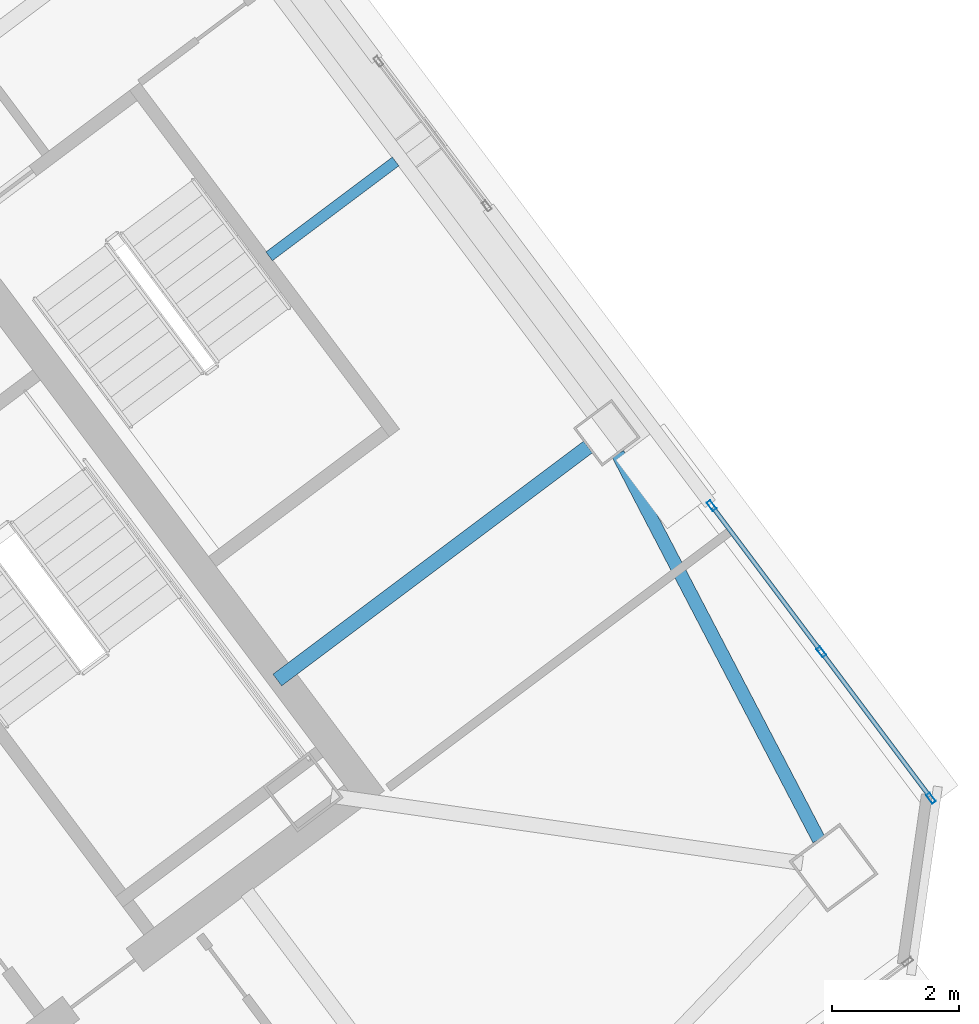
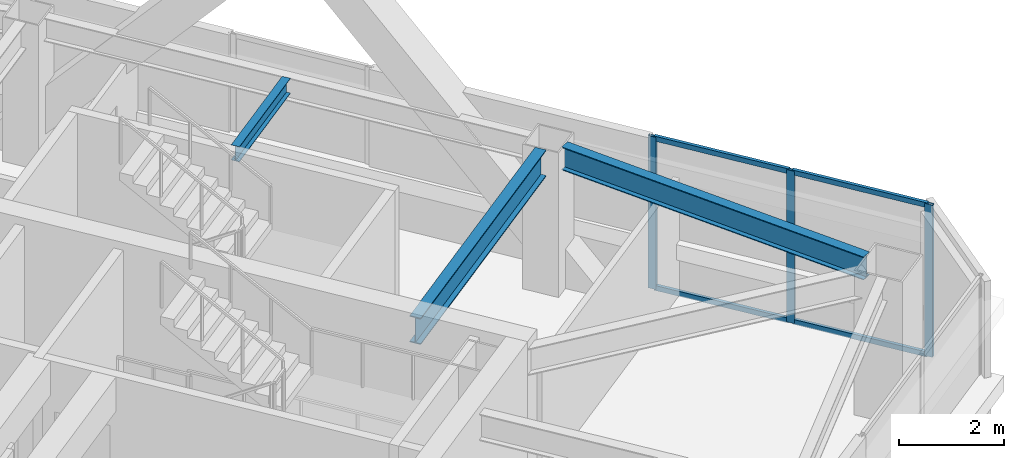
# One storey, part 24 of 39: 7 members, 3 beams, 1 element without a shape of its own.
"""IFC4 building model written with IfcOpenShell, lengths in metres."""

from ifc_helpers import new_model, si_unit, direction, frame, origin, origin_2d, place, context, subcontext, project, spatial, hollow_rectangle, i_section, extrude, material, material_profile, profile_set, type_object, element, aggregate, save


model = new_model("IFC4")

# Units and contexts
model_context = context("Model", 3, precision=1e-05, world=origin(), true_north=direction((0.0, 1.0)))
body_context = subcontext(model_context, "Body", "Model", "MODEL_VIEW")
ifc_project = project(units=[si_unit("LENGTHUNIT", "METRE"), si_unit("AREAUNIT", "SQUARE_METRE"), si_unit("VOLUMEUNIT", "CUBIC_METRE"), si_unit("PLANEANGLEUNIT", "RADIAN"), si_unit("MASSUNIT", "GRAM", prefix="KILO")], contexts=[model_context])

# Site, building, storey
site_placement = place(None, origin())
site = spatial("IfcSite", under=ifc_project, at=site_placement, CompositionType="ELEMENT")
building_placement = place(site_placement, origin())
building = spatial("IfcBuilding", under=site, at=building_placement, Name="Tashvorn Skyway Center", CompositionType="ELEMENT")
storey_placement = place(building_placement, frame((0.0, 0.0, 239.699951171875)))
storey = spatial("IfcBuildingStorey", under=building, at=storey_placement, Name="L65", CompositionType="ELEMENT", Elevation=239.699951171875)

# Beams
ifc_material_1 = material(Name="Steel ASTM A992 Grade 50", Category="steel")
ifc_material_profile_1 = material_profile(ifc_material_1, i_section(OverallWidth=0.22998046875, OverallDepth=0.616943359375, WebThickness=0.01318359375, FlangeThickness=0.022216796875, at=origin_2d()), Name="W24X94")
ifc_profile_set_1 = profile_set([ifc_material_profile_1], Name="Steel ASTM A992 Grade 50")
beam_type_1 = type_object("IfcBeamType", Name="BM-BEAM-W24X94", PredefinedType="BEAM", material=ifc_profile_set_1)
beam_1_placement = place(storey_placement, frame((128.343994140625, 36.008056640625, 3.0615234375), z_axis=(-0.799980788524, -0.600025614447, 0.0), x_axis=(0.600025614447, -0.799980788524, 0.0)))
element("IfcBeam", 1, at=beam_1_placement, inside=storey, type_object=beam_type_1, Name="Tower 2 L65 Primary Floor Girder FC-E1", PredefinedType="BEAM", context=body_context, shape_type="SweptSolid", body=[
    extrude(i_section(OverallWidth=0.22998046875, OverallDepth=0.616943359375, WebThickness=0.01318359375, FlangeThickness=0.022216796875, at=origin_2d()), origin(), (0.0, 0.0, 1.0), 6.10009765625),
])
ifc_material_profile_2 = material_profile(ifc_material_1, i_section(OverallWidth=0.1708984375, OverallDepth=0.35498046875, WebThickness=0.007080078125, FlangeThickness=0.01171875, at=origin_2d()), Name="W14X34")
ifc_profile_set_2 = profile_set([ifc_material_profile_2], Name="Steel ASTM A992 Grade 50")
beam_type_2 = type_object("IfcBeamType", Name="BM-JOIST-W14X34", PredefinedType="JOIST", material=ifc_profile_set_2)
beam_2_placement = place(storey_placement, frame((123.3359375, 39.001953125, 3.192626953125), z_axis=(0.80001180088, 0.599984265171, 0.0), x_axis=(-0.599984265171, 0.80001180088, 0.0)))
element("IfcBeam", 2, at=beam_2_placement, inside=storey, type_object=beam_type_2, Name="Tower 2 L65 Secondary Composite Joist JE", PredefinedType="JOIST", context=body_context, shape_type="SweptSolid", body=[
    extrude(i_section(OverallWidth=0.1708984375, OverallDepth=0.35498046875, WebThickness=0.007080078125, FlangeThickness=0.01171875, at=origin_2d()), origin(), (0.0, 0.0, 1.0), 2.482666015625),
])
ifc_material_profile_3 = material_profile(ifc_material_1, i_section(OverallWidth=0.2109375, OverallDepth=0.5390625, WebThickness=0.01171875, FlangeThickness=0.018798828125, at=origin_2d()), Name="W21X73")
ifc_profile_set_3 = profile_set([ifc_material_profile_3], Name="Steel ASTM A992 Grade 50")
beam_type_3 = type_object("IfcBeamType", Name="BM-SPANDREL-W21X73", PredefinedType="SPANDREL", material=ifc_profile_set_3)
beam_3_placement = place(storey_placement, frame((131.97119140625, 29.8388671875, 3.1005859375), z_axis=(-0.462204749472, 0.886773234579, 0.0), x_axis=(-0.886773234579, -0.462204749472, 0.0)))
element("IfcBeam", 3, at=beam_3_placement, inside=storey, type_object=beam_type_3, Name="Tower 2 L65 Spandrel Beam 04", PredefinedType="SPANDREL", context=body_context, shape_type="SweptSolid", body=[
    extrude(i_section(OverallWidth=0.2109375, OverallDepth=0.5390625, WebThickness=0.01171875, FlangeThickness=0.018798828125, at=origin_2d()), origin(), (0.0, 0.0, 1.0), 6.837158203125),
])

# Curtain wall, members
ifc_material_2 = material(Name="Thermally broken bronze-anodized aluminium 6063-T6", Category="aluminium")
curtain_wall_type = type_object("IfcCurtainWallType", Name="CW-CW-Z5", PredefinedType="NOTDEFINED", material=ifc_material_2)
curtain_wall_placement = place(storey_placement, origin())
curtain_wall = element("IfcCurtainWall", 4, at=curtain_wall_placement, inside=storey, type_object=curtain_wall_type, Name="Tower 2 L65 East Unitised Curtain Wall Glazing Group 3", PredefinedType="NOTDEFINED")
ifc_material_profile_4 = material_profile(ifc_material_2, hollow_rectangle(XDim=0.070068359375, YDim=0.1650390625, WallThickness=0.00390625, at=origin_2d()), Name="ALU-MULL-70x165")
ifc_profile_set_4 = profile_set([ifc_material_profile_4], Name="Thermally broken bronze-anodized aluminium 6063-T6")
member_type_1 = type_object("IfcMemberType", Name="CWM-CW-Z5", PredefinedType="MULLION", material=ifc_profile_set_4)
member_1_placement = place(storey_placement, frame((130.284912109375, 35.086669921875, 0.0), z_axis=(0.0, 0.0, 1.0), x_axis=(0.800002064209, 0.599997247712, 0.0)))
member_1 = element("IfcMember", 5, at=member_1_placement, type_object=member_type_1, Name="CW-Z5 mullion 1", PredefinedType="MULLION", context=body_context, shape_type="SweptSolid", body=[
    extrude(hollow_rectangle(XDim=0.070068359375, YDim=0.1650390625, WallThickness=0.00390625, at=origin_2d()), origin(), (0.0, 0.0, 1.0), 3.550048828125),
])
member_2_placement = place(storey_placement, frame((132.008056640625, 32.789306640625, 0.0), z_axis=(0.0, 0.0, 1.0), x_axis=(0.800002064209, 0.599997247712, 0.0)))
member_2 = element("IfcMember", 6, at=member_2_placement, type_object=member_type_1, Name="CW-Z5 mullion 2", PredefinedType="MULLION", context=body_context, shape_type="SweptSolid", body=[
    extrude(hollow_rectangle(XDim=0.070068359375, YDim=0.1650390625, WallThickness=0.00390625, at=origin_2d()), origin(), (0.0, 0.0, 1.0), 3.550048828125),
])
member_3_placement = place(storey_placement, frame((133.73095703125, 30.491943359375, 0.0), z_axis=(0.0, 0.0, 1.0), x_axis=(0.800002064209, 0.599997247712, 0.0)))
member_3 = element("IfcMember", 7, at=member_3_placement, type_object=member_type_1, Name="CW-Z5 mullion 3", PredefinedType="MULLION", context=body_context, shape_type="SweptSolid", body=[
    extrude(hollow_rectangle(XDim=0.070068359375, YDim=0.1650390625, WallThickness=0.00390625, at=origin_2d()), origin(), (0.0, 0.0, 1.0), 3.550048828125),
])
ifc_material_profile_5 = material_profile(ifc_material_2, hollow_rectangle(XDim=0.070068359375, YDim=0.114990234375, WallThickness=0.00390625, at=origin_2d()), Name="ALU-TRAN-70x115")
ifc_profile_set_5 = profile_set([ifc_material_profile_5], Name="Thermally broken bronze-anodized aluminium 6063-T6")
member_type_2 = type_object("IfcMemberType", Name="CWT-CW-Z5", PredefinedType="USERDEFINED", material=ifc_profile_set_5)
member_4_placement = place(storey_placement, frame((130.305908203125, 35.05859375, 0.03515625), z_axis=(0.600055769046, -0.799958170178, 0.0), x_axis=(0.799958170178, 0.600055769046, 0.0)))
member_4 = element("IfcMember", 8, at=member_4_placement, type_object=member_type_2, Name="CW-Z5 transom 1.1", ObjectType="TRANSOM", PredefinedType="USERDEFINED", context=body_context, shape_type="SweptSolid", body=[
    extrude(hollow_rectangle(XDim=0.070068359375, YDim=0.114990234375, WallThickness=0.00390625, at=origin_2d()), origin(), (0.0, 0.0, 1.0), 2.8017578125),
])
member_5_placement = place(storey_placement, frame((130.305908203125, 35.05859375, 3.51513671875), z_axis=(0.600055769046, -0.799958170178, 0.0), x_axis=(0.799958170178, 0.600055769046, 0.0)))
member_5 = element("IfcMember", 9, at=member_5_placement, type_object=member_type_2, Name="CW-Z5 transom 1.2", ObjectType="TRANSOM", PredefinedType="USERDEFINED", context=body_context, shape_type="SweptSolid", body=[
    extrude(hollow_rectangle(XDim=0.070068359375, YDim=0.114990234375, WallThickness=0.00390625, at=origin_2d()), origin(), (0.0, 0.0, 1.0), 2.8017578125),
])
member_6_placement = place(storey_placement, frame((132.029052734375, 32.76123046875, 0.03515625), z_axis=(0.6, -0.8, 0.0), x_axis=(0.8, 0.6, 0.0)))
member_6 = element("IfcMember", 10, at=member_6_placement, type_object=member_type_2, Name="CW-Z5 transom 2.1", ObjectType="TRANSOM", PredefinedType="USERDEFINED", context=body_context, shape_type="SweptSolid", body=[
    extrude(hollow_rectangle(XDim=0.070068359375, YDim=0.114990234375, WallThickness=0.00390625, at=origin_2d()), origin(), (0.0, 0.0, 1.0), 2.801513671875),
])
member_7_placement = place(storey_placement, frame((132.029052734375, 32.76123046875, 3.51513671875), z_axis=(0.6, -0.8, 0.0), x_axis=(0.8, 0.6, 0.0)))
member_7 = element("IfcMember", 11, at=member_7_placement, type_object=member_type_2, Name="CW-Z5 transom 2.2", ObjectType="TRANSOM", PredefinedType="USERDEFINED", context=body_context, shape_type="SweptSolid", body=[
    extrude(hollow_rectangle(XDim=0.070068359375, YDim=0.114990234375, WallThickness=0.00390625, at=origin_2d()), origin(), (0.0, 0.0, 1.0), 2.801513671875),
])
aggregate(curtain_wall, [member_1, member_2, member_3, member_4, member_5, member_6, member_7])

save(model, "model.ifc")
